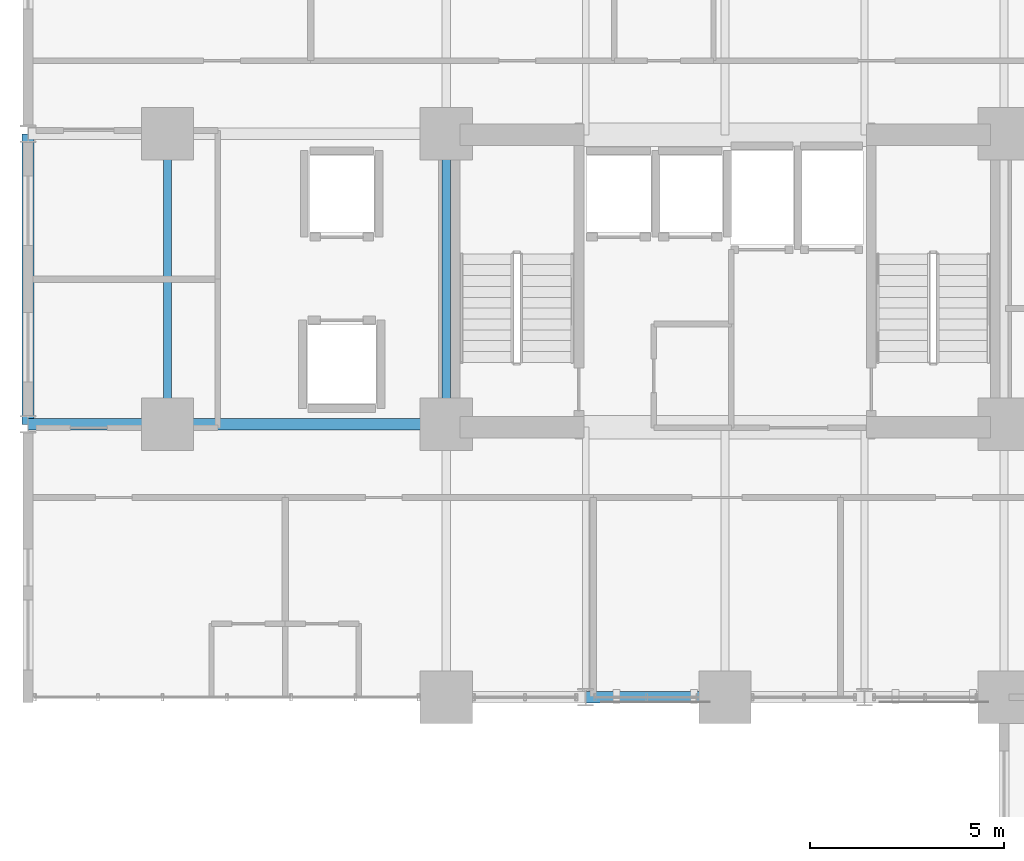
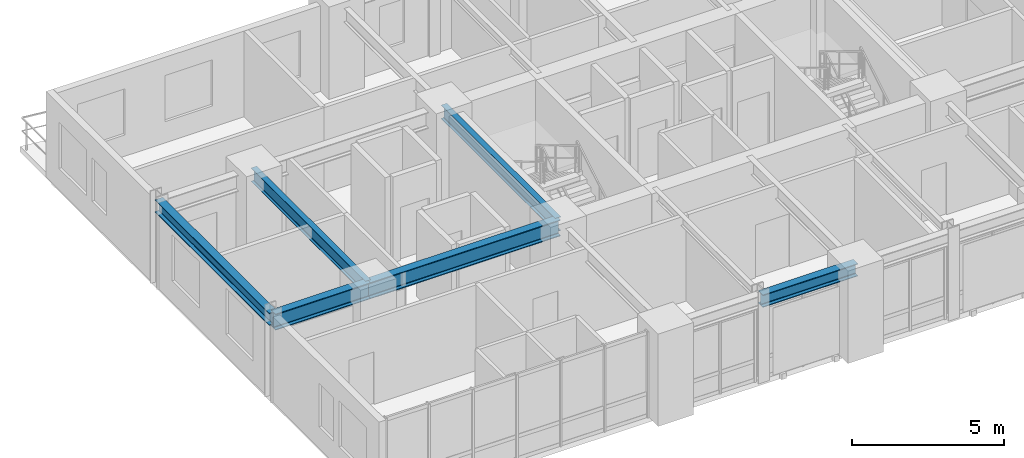
# One storey, part 4 of 16: 6 beams.
"""IFC4 building model written with IfcOpenShell, lengths in metres."""

from ifc_helpers import new_model, si_unit, direction, frame, origin, origin_2d, place, context, subcontext, project, spatial, i_section, extrude, source, transform, mapped, material, material_profile, profile_set, type_object, element, save


model = new_model("IFC4")

# Units and contexts
model_context = context("Model", 3, precision=1e-05, world=origin(), true_north=direction((0.0, 1.0)))
body_context = subcontext(model_context, "Body", "Model", "MODEL_VIEW")
ifc_project = project(units=[si_unit("LENGTHUNIT", "METRE"), si_unit("AREAUNIT", "SQUARE_METRE"), si_unit("VOLUMEUNIT", "CUBIC_METRE"), si_unit("PLANEANGLEUNIT", "RADIAN"), si_unit("MASSUNIT", "GRAM", prefix="KILO")], contexts=[model_context])

# Site, building, storey
site_placement = place(None, origin())
site = spatial("IfcSite", under=ifc_project, at=site_placement, CompositionType="ELEMENT")
building_placement = place(site_placement, origin())
building = spatial("IfcBuilding", under=site, at=building_placement, Name="Kaliganga Portal Commons", CompositionType="ELEMENT")
storey_placement = place(building_placement, frame((0.0, 0.0, 29.0)))
storey = spatial("IfcBuildingStorey", under=building, at=storey_placement, Name="L06", CompositionType="ELEMENT", Elevation=29.0)

# Beams
ifc_material = material(Name="Structural steel S355J2", Category="steel")
ifc_material_profile_1 = material_profile(ifc_material, i_section(OverallWidth=0.300048828125, OverallDepth=0.5, WebThickness=0.014404296875, FlangeThickness=0.028076171875, FilletRadius=0.027099609375, at=origin_2d()), Name="HE 500 B")
ifc_profile_set_1 = profile_set([ifc_material_profile_1], Name="Structural steel S355J2 wide-flange")
beam_type_1 = type_object("IfcBeamType", Name="BM-SPAND-500", PredefinedType="SPANDREL", material=ifc_profile_set_1)
shared_shape_1 = source(origin(), body_context, "Body", "SweptSolid", [
    extrude(i_section(OverallWidth=0.300048828125, OverallDepth=0.5, WebThickness=0.014404296875, FlangeThickness=0.028076171875, FilletRadius=0.027099609375, at=origin_2d()), origin(), (0.0, 0.0, 1.0), 7.5),
])
beam_1_placement = place(storey_placement, frame((3.60009765625, 28.64990234375, 3.199951171875), z_axis=(0.0, 1.0, 0.0), x_axis=(-1.0, 0.0, 0.0)))
element("IfcBeam", 1, at=beam_1_placement, inside=storey, type_object=beam_type_1, Name="BM SP L06 AW", PredefinedType="SPANDREL", context=body_context, shape_type="MappedRepresentation", body=[
    mapped(shared_shape_1, transform((0.0, 0.0, 0.0), x_axis=(1.0, 0.0, 0.0), y_axis=(0.0, 1.0, 0.0), z_axis=(0.0, 0.0, 1.0), scale=1.0)),
])
shared_shape_2 = source(origin(), body_context, "Body", "SweptSolid", [
    extrude(i_section(OverallWidth=0.300048828125, OverallDepth=0.5, WebThickness=0.014404296875, FlangeThickness=0.028076171875, FilletRadius=0.027099609375, at=origin_2d()), origin(), (0.0, 0.0, 1.0), 3.60009765625),
])
beam_2_placement = place(storey_placement, frame((18.0, 21.60009765625, 3.199951171875), z_axis=(1.0, 0.0, 0.0), x_axis=(0.0, 1.0, 0.0)))
element("IfcBeam", 2, at=beam_2_placement, inside=storey, type_object=beam_type_1, Name="BM SP L06 AS 2", PredefinedType="SPANDREL", context=body_context, shape_type="MappedRepresentation", body=[
    mapped(shared_shape_2, transform((0.0, 0.0, 0.0), x_axis=(1.0, 0.0, 0.0), y_axis=(0.0, 1.0, 0.0), z_axis=(0.0, 0.0, 1.0), scale=1.0)),
])
ifc_material_profile_2 = material_profile(ifc_material, i_section(OverallWidth=0.300048828125, OverallDepth=0.64990234375, WebThickness=0.01611328125, FlangeThickness=0.031005859375, FilletRadius=0.027099609375, at=origin_2d()), Name="HE 650 B")
ifc_profile_set_2 = profile_set([ifc_material_profile_2], Name="Structural steel S355J2 wide-flange")
beam_type_2 = type_object("IfcBeamType", Name="BM-GIRD-650", PredefinedType="USERDEFINED", material=ifc_profile_set_2)
shared_shape_3 = source(origin(), body_context, "Body", "SweptSolid", [
    extrude(i_section(OverallWidth=0.300048828125, OverallDepth=0.64990234375, WebThickness=0.01611328125, FlangeThickness=0.031005859375, FilletRadius=0.027099609375, at=origin_2d()), origin(), (0.0, 0.0, 1.0), 3.599853515625),
])
beam_3_placement = place(storey_placement, frame((3.60009765625, 28.64990234375, 3.125), z_axis=(1.0, 0.0, 0.0), x_axis=(0.0, 1.0, 0.0)))
element("IfcBeam", 3, at=beam_3_placement, inside=storey, type_object=beam_type_2, Name="BM G L06 WAH_S 1", ObjectType="GIRDER", PredefinedType="USERDEFINED", context=body_context, shape_type="MappedRepresentation", body=[
    mapped(shared_shape_3, transform((0.0, 0.0, 0.0), x_axis=(1.0, 0.0, 0.0), y_axis=(0.0, 1.0, 0.0), z_axis=(0.0, 0.0, 1.0), scale=1.0)),
])
shared_shape_4 = source(origin(), body_context, "Body", "SweptSolid", [
    extrude(i_section(OverallWidth=0.300048828125, OverallDepth=0.64990234375, WebThickness=0.01611328125, FlangeThickness=0.031005859375, FilletRadius=0.027099609375, at=origin_2d()), origin(), (0.0, 0.0, 1.0), 7.199951171875),
])
beam_4_placement = place(storey_placement, frame((7.199951171875, 28.64990234375, 3.125), z_axis=(1.0, 0.0, 0.0), x_axis=(0.0, 1.0, 0.0)))
element("IfcBeam", 4, at=beam_4_placement, inside=storey, type_object=beam_type_2, Name="BM G L06 WAH_S 2", ObjectType="GIRDER", PredefinedType="USERDEFINED", context=body_context, shape_type="MappedRepresentation", body=[
    mapped(shared_shape_4, transform((0.0, 0.0, 0.0), x_axis=(1.0, 0.0, 0.0), y_axis=(0.0, 1.0, 0.0), z_axis=(0.0, 0.0, 1.0), scale=1.0)),
])
ifc_material_profile_3 = material_profile(ifc_material, i_section(OverallWidth=0.2099609375, OverallDepth=0.550048828125, WebThickness=0.010986328125, FlangeThickness=0.01708984375, FilletRadius=0.02392578125, at=origin_2d()), Name="IPE 550")
ifc_profile_set_3 = profile_set([ifc_material_profile_3], Name="Structural steel S355J2 wide-flange")
beam_type_3 = type_object("IfcBeamType", Name="BM-FLR-550", PredefinedType="BEAM", material=ifc_profile_set_3)
shared_shape_5 = source(origin(), body_context, "Body", "SweptSolid", [
    extrude(i_section(OverallWidth=0.2099609375, OverallDepth=0.550048828125, WebThickness=0.010986328125, FlangeThickness=0.01708984375, FilletRadius=0.02392578125, at=origin_2d()), origin(), (0.0, 0.0, 1.0), 7.5),
])
for number, where, z_axis, x_axis, name in (
    (5, (7.199951171875, 28.64990234375, 3.175048828125), (0.0, 1.0, 0.0), (-1.0, 0.0, 0.0), "BM G L06 AW72"),
    (6, (14.39990234375, 28.64990234375, 3.175048828125), (0.0, 1.0, 0.0), (-1.0, 0.0, 0.0), "BM G L06 AM144"),
):
    element("IfcBeam", number, at=place(storey_placement, frame(where, z_axis=z_axis, x_axis=x_axis)), inside=storey, type_object=beam_type_3, Name=name, PredefinedType="BEAM", context=body_context, shape_type="MappedRepresentation", body=[
        mapped(shared_shape_5, transform((0.0, 0.0, 0.0), x_axis=(1.0, 0.0, 0.0), y_axis=(0.0, 1.0, 0.0), z_axis=(0.0, 0.0, 1.0), scale=1.0)),
    ])

save(model, "model.ifc")
